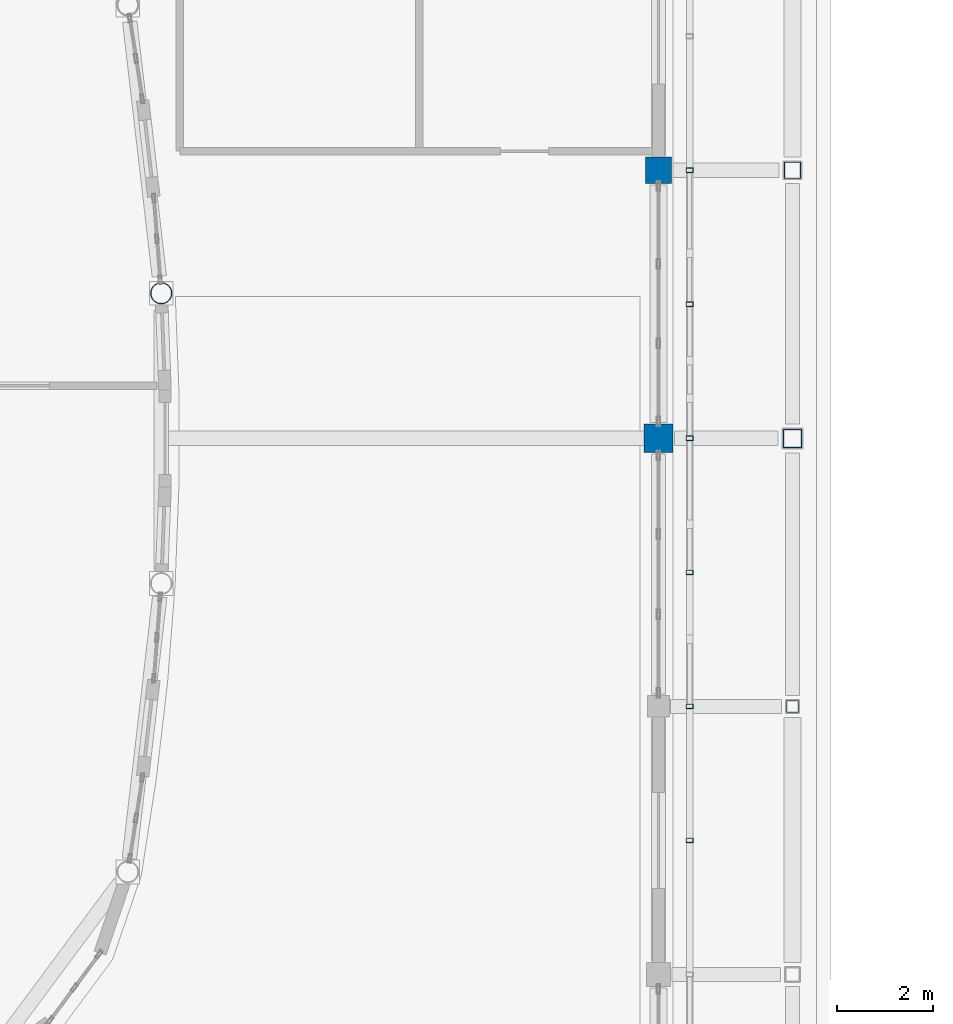
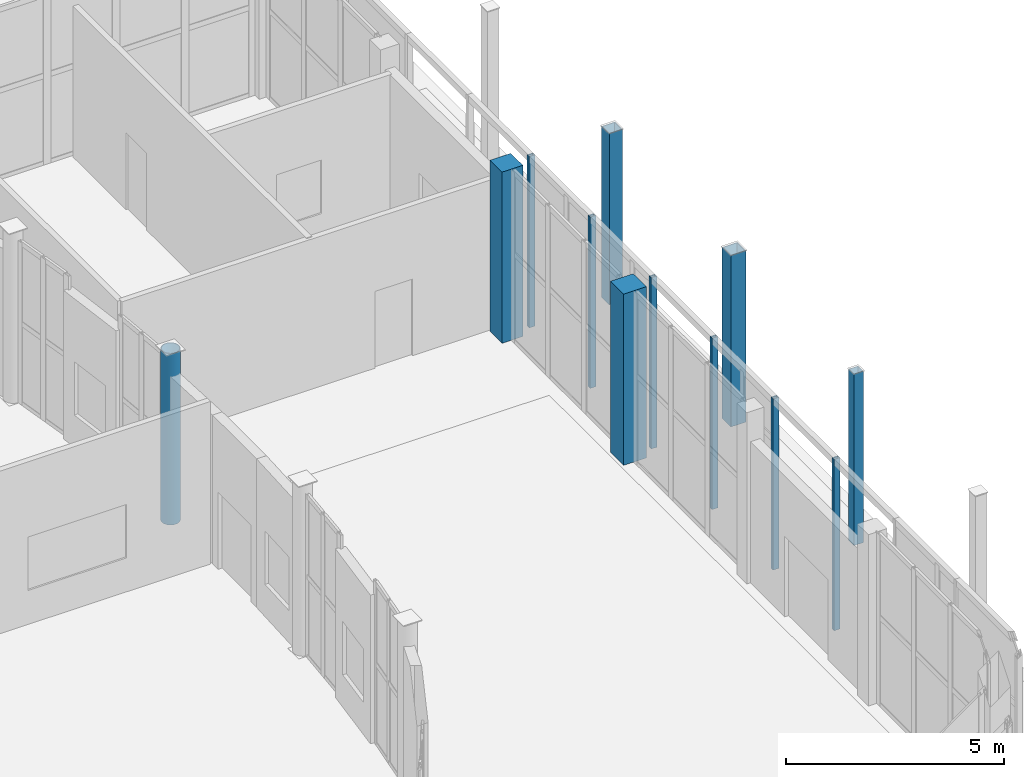
# One storey, part 12 of 91: 12 columns.
"""IFC4 building model written with IfcOpenShell, lengths in metres."""

from ifc_helpers import new_model, si_unit, direction, frame, origin, origin_2d, place, context, subcontext, project, spatial, rectangle, hollow_rectangle, hollow_circle, extrude, material, material_profile, profile_set, type_object, element, save


model = new_model("IFC4")

# Units and contexts
model_context = context("Model", 3, precision=1e-05, world=origin(), true_north=direction((0.0, 1.0)))
body_context = subcontext(model_context, "Body", "Model", "MODEL_VIEW")
ifc_project = project(units=[si_unit("LENGTHUNIT", "METRE"), si_unit("AREAUNIT", "SQUARE_METRE"), si_unit("VOLUMEUNIT", "CUBIC_METRE"), si_unit("PLANEANGLEUNIT", "RADIAN"), si_unit("MASSUNIT", "GRAM", prefix="KILO")], contexts=[model_context])

# Site, building, storey
site_placement = place(None, origin())
site = spatial("IfcSite", under=ifc_project, at=site_placement, CompositionType="ELEMENT")
building_placement = place(site_placement, origin())
building = spatial("IfcBuilding", under=site, at=building_placement, Name="Vinh Khe Railworks Police Headquarters", CompositionType="ELEMENT")
storey_placement = place(building_placement, origin())
storey = spatial("IfcBuildingStorey", under=building, at=storey_placement, Name="L00", CompositionType="ELEMENT", Elevation=0.0)

# Columns
ifc_material_1 = material(Name="Steel S355JR", Category="steel")
ifc_material_profile_1 = material_profile(ifc_material_1, hollow_rectangle(XDim=0.14990234375, YDim=0.10009765625, WallThickness=0.008056640625, at=origin_2d()), Name="RHS 150x100x8")
ifc_profile_set_1 = profile_set([ifc_material_profile_1], Name="Steel S355JR")
column_type_1 = type_object("IfcColumnType", Name="COL-QUILT-POST", PredefinedType="COLUMN", material=ifc_profile_set_1)
for number, where, z_axis, x_axis, name in (
    (1, (60.64990234375, 33.60009765625, 0.0), (0.0, 0.0, 1.0), (1.0, 0.0, 0.0), "Patchwork Quilt Carrier Column E-4 (L00)"),
    (2, (60.64990234375, 36.39990234375, 0.0), (0.0, 0.0, 1.0), (1.0, 0.0, 0.0), "Patchwork Quilt Carrier Column E-5 (L00)"),
    (3, (60.64990234375, 39.199951171875, 0.0), (0.0, 0.0, 1.0), (1.0, 0.0, 0.0), "Patchwork Quilt Carrier Column E-6 (L00)"),
    (4, (60.64990234375, 42.0, 0.0), (0.0, 0.0, 1.0), (1.0, 0.0, 0.0), "Patchwork Quilt Carrier Column E-7 (L00)"),
    (5, (60.64990234375, 44.800048828125, 0.0), (0.0, 0.0, 1.0), (1.0, 0.0, 0.0), "Patchwork Quilt Carrier Column E-8 (L00)"),
    (6, (60.64990234375, 47.60009765625, 0.0), (0.0, 0.0, 1.0), (1.0, 0.0, 0.0), "Patchwork Quilt Carrier Column E-9 (L00)"),
):
    element("IfcColumn", number, at=place(storey_placement, frame(where, z_axis=z_axis, x_axis=x_axis)), inside=storey, type_object=column_type_1, Name=name, PredefinedType="COLUMN", context=body_context, shape_type="SweptSolid", body=[
        extrude(hollow_rectangle(XDim=0.14990234375, YDim=0.10009765625, WallThickness=0.008056640625, at=origin_2d()), origin(), (0.0, 0.0, 1.0), 4.800048828125),
    ])
ifc_material_2 = material(Name="Concrete C40/50 (B40)", Category="concrete")
ifc_material_profile_2 = material_profile(ifc_material_2, rectangle(XDim=0.550048828125, YDim=0.550048828125, at=origin_2d()), Name="RC 550x550")
ifc_profile_set_2 = profile_set([ifc_material_profile_2], Name="Concrete C40/50 (B40)")
column_type_2 = type_object("IfcColumnType", Name="RC Column RC 550x550", PredefinedType="COLUMN", material=ifc_profile_set_2)
column_1_placement = place(storey_placement, frame((60.0, 47.60009765625, 0.0), z_axis=(0.0, 0.0, 1.0), x_axis=(1.0, 0.0, 0.0)))
element("IfcColumn", 7, at=column_1_placement, inside=storey, type_object=column_type_2, Name="Column COL-L00-CC-06-1028", PredefinedType="COLUMN", context=body_context, shape_type="SweptSolid", body=[
    extrude(rectangle(XDim=0.550048828125, YDim=0.550048828125, at=origin_2d()), origin(), (0.0, 0.0, 1.0), 4.800048828125),
])
ifc_material_profile_3 = material_profile(ifc_material_2, rectangle(XDim=0.60009765625, YDim=0.60009765625, at=origin_2d()), Name="RC 600x600")
ifc_profile_set_3 = profile_set([ifc_material_profile_3], Name="Concrete C40/50 (B40)")
column_type_3 = type_object("IfcColumnType", Name="RC Column RC 600x600", PredefinedType="COLUMN", material=ifc_profile_set_3)
column_2_placement = place(storey_placement, frame((60.0, 42.0, 0.0), z_axis=(0.0, 0.0, 1.0), x_axis=(1.0, 0.0, 0.0)))
element("IfcColumn", 8, at=column_2_placement, inside=storey, type_object=column_type_3, Name="Column COL-L00-CC-05-1023", PredefinedType="COLUMN", context=body_context, shape_type="SweptSolid", body=[
    extrude(rectangle(XDim=0.60009765625, YDim=0.60009765625, at=origin_2d()), origin(), (0.0, 0.0, 1.0), 4.800048828125),
])
ifc_material_profile_4 = material_profile(ifc_material_1, hollow_circle(Radius=0.228515625, WallThickness=0.02001953125, at=origin_2d()), Name="CHS 457x20")
ifc_profile_set_4 = profile_set([ifc_material_profile_4], Name="Steel S355JR")
column_type_4 = type_object("IfcColumnType", Name="Steel Column CHS 457x20", PredefinedType="COLUMN", material=ifc_profile_set_4)
column_3_placement = place(storey_placement, frame((49.6123046875, 45.031982421875, 0.0), z_axis=(0.0, 0.0, 1.0), x_axis=(0.997039347045, 0.076893045491, 0.0)))
element("IfcColumn", 9, at=column_3_placement, inside=storey, type_object=column_type_4, Name="Column COL-L00-SC-25-0955", PredefinedType="COLUMN", context=body_context, shape_type="SweptSolid", body=[
    extrude(hollow_circle(Radius=0.228515625, WallThickness=0.02001953125, at=origin_2d()), origin(), (0.0, 0.0, 1.0), 4.800048828125),
])
ifc_material_profile_5 = material_profile(ifc_material_1, hollow_rectangle(XDim=0.25, YDim=0.25, WallThickness=0.012451171875, at=origin_2d()), Name="SHS 250x250x12.5")
ifc_profile_set_5 = profile_set([ifc_material_profile_5], Name="Steel S355JR")
column_type_5 = type_object("IfcColumnType", Name="Steel Column SHS 250x250x12.5", PredefinedType="COLUMN", material=ifc_profile_set_5)
column_4_placement = place(storey_placement, frame((62.800048828125, 36.39990234375, 0.0), z_axis=(0.0, 0.0, 1.0), x_axis=(1.0, 0.0, 0.0)))
element("IfcColumn", 10, at=column_4_placement, inside=storey, type_object=column_type_5, Name="Column COL-L00-SC-24-1082", PredefinedType="COLUMN", context=body_context, shape_type="SweptSolid", body=[
    extrude(hollow_rectangle(XDim=0.25, YDim=0.25, WallThickness=0.012451171875, at=origin_2d()), origin(), (0.0, 0.0, 1.0), 4.800048828125),
])
ifc_material_profile_6 = material_profile(ifc_material_1, hollow_rectangle(XDim=0.35009765625, YDim=0.35009765625, WallThickness=0.01611328125, at=origin_2d()), Name="SHS 350x350x16")
ifc_profile_set_6 = profile_set([ifc_material_profile_6], Name="Steel S355JR")
column_type_6 = type_object("IfcColumnType", Name="Steel Column SHS 350x350x16", PredefinedType="COLUMN", material=ifc_profile_set_6)
column_5_placement = place(storey_placement, frame((62.800048828125, 47.60009765625, 0.0), z_axis=(0.0, 0.0, 1.0), x_axis=(1.0, 0.0, 0.0)))
element("IfcColumn", 11, at=column_5_placement, inside=storey, type_object=column_type_6, Name="Column COL-L00-SC-22-1092", PredefinedType="COLUMN", context=body_context, shape_type="SweptSolid", body=[
    extrude(hollow_rectangle(XDim=0.35009765625, YDim=0.35009765625, WallThickness=0.01611328125, at=origin_2d()), origin(), (0.0, 0.0, 1.0), 4.800048828125),
])
ifc_material_profile_7 = material_profile(ifc_material_1, hollow_rectangle(XDim=0.39990234375, YDim=0.39990234375, WallThickness=0.02001953125, at=origin_2d()), Name="SHS 400x400x20")
ifc_profile_set_7 = profile_set([ifc_material_profile_7], Name="Steel S355JR")
column_type_7 = type_object("IfcColumnType", Name="Steel Column SHS 400x400x20", PredefinedType="COLUMN", material=ifc_profile_set_7)
column_6_placement = place(storey_placement, frame((62.800048828125, 42.0, 0.0), z_axis=(0.0, 0.0, 1.0), x_axis=(1.0, 0.0, 0.0)))
element("IfcColumn", 12, at=column_6_placement, inside=storey, type_object=column_type_7, Name="Column COL-L00-SC-21-1087", PredefinedType="COLUMN", context=body_context, shape_type="SweptSolid", body=[
    extrude(hollow_rectangle(XDim=0.39990234375, YDim=0.39990234375, WallThickness=0.02001953125, at=origin_2d()), origin(), (0.0, 0.0, 1.0), 4.800048828125),
])

save(model, "model.ifc")
